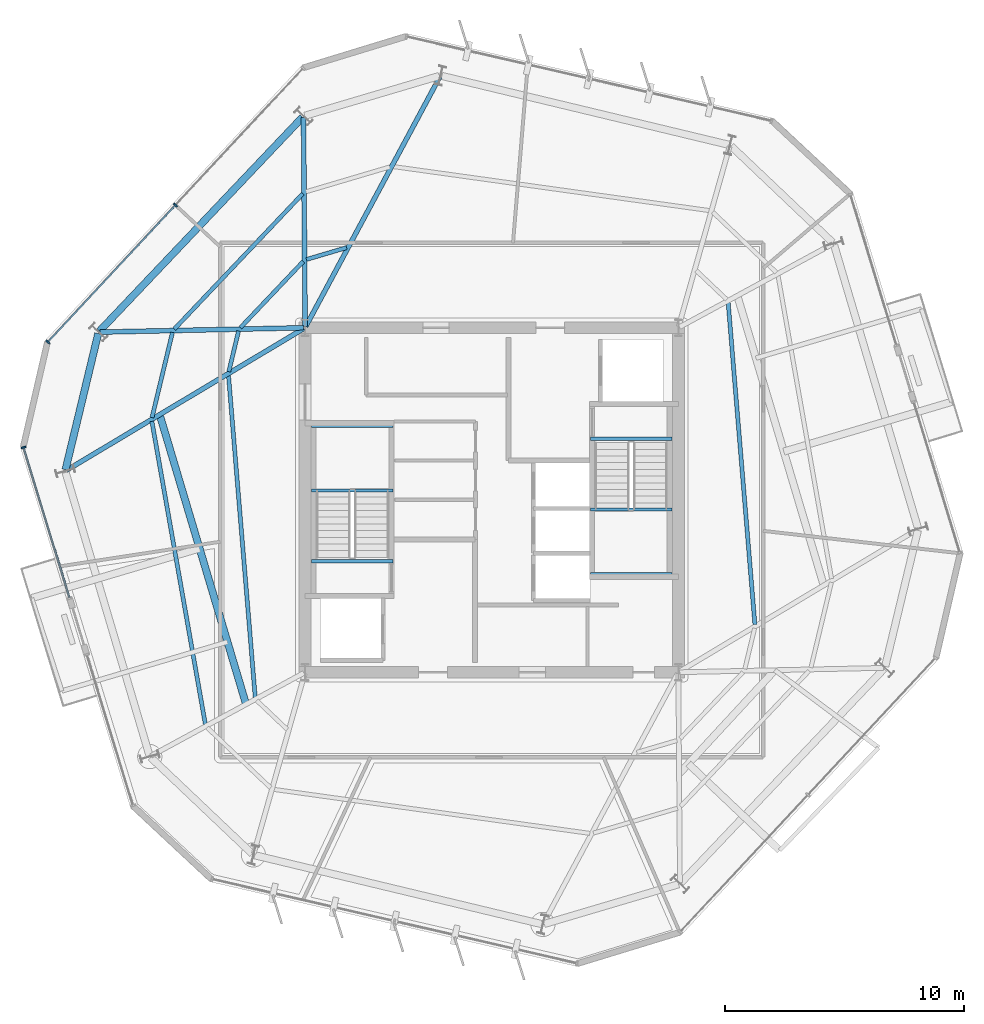
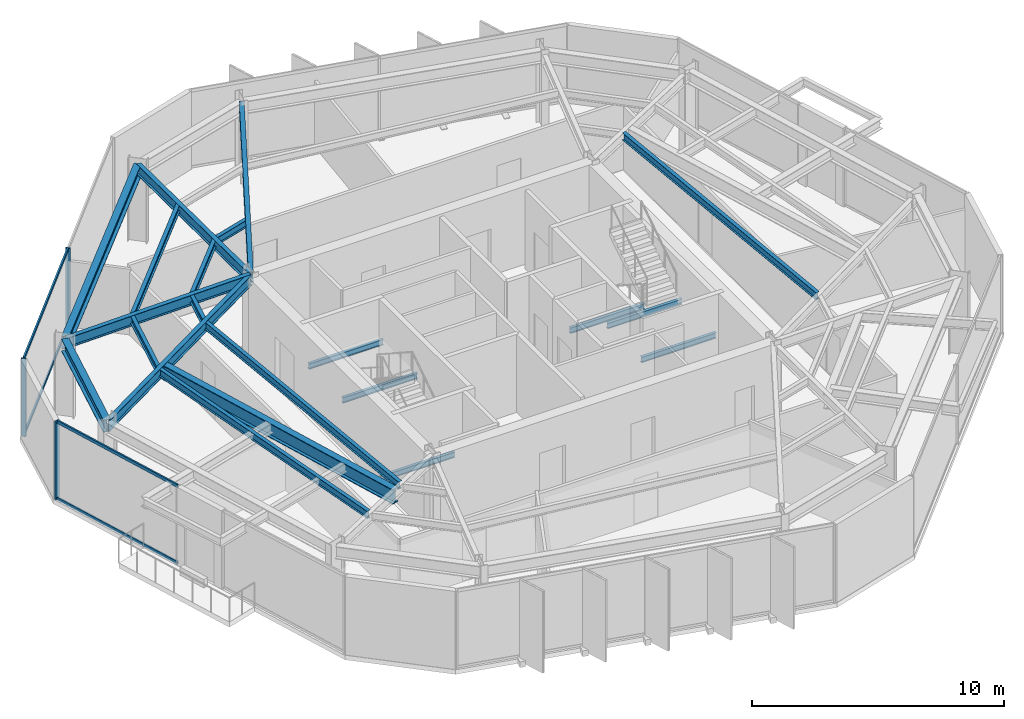
# One storey, part 3 of 11: 21 beams, 7 members, 2 elements without a shape of their own.
"""IFC4 building model written with IfcOpenShell, lengths in metres."""

from ifc_helpers import new_model, si_unit, direction, frame, origin, origin_2d, place, context, subcontext, project, spatial, rectangle, i_section, extrude, material, layer, layer_set, material_profile, profile_set, type_object, element, aggregate, save


model = new_model("IFC4")

# Units and contexts
model_context = context("Model", 3, precision=1e-05, world=origin(), true_north=direction((0.0, 1.0)))
body_context = subcontext(model_context, "Body", "Model", "MODEL_VIEW")
ifc_project = project(units=[si_unit("LENGTHUNIT", "METRE"), si_unit("AREAUNIT", "SQUARE_METRE"), si_unit("VOLUMEUNIT", "CUBIC_METRE"), si_unit("PLANEANGLEUNIT", "RADIAN"), si_unit("MASSUNIT", "GRAM", prefix="KILO")], contexts=[model_context])

# Site, building, storey
site_placement = place(None, origin())
site = spatial("IfcSite", under=ifc_project, at=site_placement, CompositionType="ELEMENT")
building_placement = place(site_placement, origin())
building = spatial("IfcBuilding", under=site, at=building_placement, Name="Kranzbogen Civic Tower", CompositionType="ELEMENT")
storey_placement = place(building_placement, frame((0.0, 0.0, 212.800048828125)))
storey = spatial("IfcBuildingStorey", under=building, at=storey_placement, Name="L51", CompositionType="ELEMENT", Elevation=212.800048828125)

# Curtain wall, members
ifc_material_1 = material(Name="Pale Anodised Aluminium", Category="aluminium")
ifc_layer = layer(ifc_material_1, 0.219970703125, Name="Pale Anodised Aluminium")
ifc_layer_set = layer_set([ifc_layer], Name="Pale Anodised Aluminium")
curtain_wall_type = type_object("IfcCurtainWallType", Name="Zone 3 Stick Curtain Wall System CW-04", PredefinedType="USERDEFINED", material=ifc_layer_set)
curtain_wall_1_placement = place(storey_placement, origin())
curtain_wall_1 = element("IfcCurtainWall", 1, at=curtain_wall_1_placement, inside=storey, type_object=curtain_wall_type, Name="L51 curtain wall CW-L51-F2", ObjectType="STICK CURTAIN WALL", PredefinedType="USERDEFINED")
ifc_material_profile_1 = material_profile(ifc_material_1, rectangle(XDim=0.070068359375, YDim=0.199951171875, at=origin_2d()), Name="ALU-M 70x200")
ifc_profile_set_1 = profile_set([ifc_material_profile_1], Name="Pale Anodised Aluminium")
member_type_1 = type_object("IfcMemberType", Name="Curtain Wall Mullion ALU-M 70x200", PredefinedType="MULLION", material=ifc_profile_set_1)
member_1_placement = place(storey_placement, frame((11.783447265625, 37.324951171875, 0.0), z_axis=(0.0, 0.0, 1.0), x_axis=(-0.682007441156, -0.731345233257, 0.0)))
member_1 = element("IfcMember", 2, at=member_1_placement, type_object=member_type_1, Name="CW-04 mullion 2", PredefinedType="MULLION", context=body_context, shape_type="SweptSolid", body=[
    extrude(rectangle(XDim=0.070068359375, YDim=0.199951171875, at=origin_2d()), origin(), (0.0, 0.0, 1.0), 3.780029296875),
])
member_2_placement = place(storey_placement, frame((6.447509765625, 31.60302734375, 0.0), z_axis=(0.0, 0.0, 1.0), x_axis=(-0.682007441156, -0.731345233257, 0.0)))
member_2 = element("IfcMember", 3, at=member_2_placement, type_object=member_type_1, Name="CW-04 mullion 3", PredefinedType="MULLION", context=body_context, shape_type="SweptSolid", body=[
    extrude(rectangle(XDim=0.070068359375, YDim=0.199951171875, at=origin_2d()), origin(), (0.0, 0.0, 1.0), 3.780029296875),
])

# Curtain wall, member
curtain_wall_2_placement = place(storey_placement, origin())
curtain_wall_2 = element("IfcCurtainWall", 4, at=curtain_wall_2_placement, inside=storey, type_object=curtain_wall_type, Name="L51 curtain wall CW-L51-F3-S1", ObjectType="STICK CURTAIN WALL", PredefinedType="USERDEFINED")
member_3_placement = place(storey_placement, frame((5.4306640625, 27.1982421875, 0.0), z_axis=(0.0, 0.0, 1.0), x_axis=(0.292321628934, -0.956320064235, 0.0)))
member_3 = element("IfcMember", 5, at=member_3_placement, type_object=member_type_1, Name="CW-04 mullion 1", PredefinedType="MULLION", context=body_context, shape_type="SweptSolid", body=[
    extrude(rectangle(XDim=0.070068359375, YDim=0.199951171875, at=origin_2d()), origin(), (0.0, 0.0, 1.0), 3.780029296875),
])

# Member
ifc_material_profile_2 = material_profile(ifc_material_1, rectangle(XDim=0.070068359375, YDim=0.14990234375, at=origin_2d()), Name="ALU-T 70x150")
ifc_profile_set_2 = profile_set([ifc_material_profile_2], Name="Pale Anodised Aluminium")
member_type_2 = type_object("IfcMemberType", Name="Curtain Wall Transom ALU-T 70x150", PredefinedType="USERDEFINED", material=ifc_profile_set_2)
member_4_placement = place(storey_placement, frame((11.762939453125, 37.302978515625, 0.030029296875), z_axis=(-0.682006713494, -0.731345911829, 0.0), x_axis=(0.731345911829, -0.682006713494, 0.0)))
member_4 = element("IfcMember", 6, at=member_4_placement, type_object=member_type_2, Name="CW-04 transom 2.1", ObjectType="TRANSOM", PredefinedType="USERDEFINED", context=body_context, shape_type="SweptSolid", body=[
    extrude(rectangle(XDim=0.070068359375, YDim=0.14990234375, at=origin_2d()), origin(), (0.0, 0.0, 1.0), 7.763671875),
])

member_5_placement = place(storey_placement, frame((11.762939453125, 37.302978515625, 3.75), z_axis=(-0.682006713494, -0.731345911829, 0.0), x_axis=(0.731345911829, -0.682006713494, 0.0)))
member_5 = element("IfcMember", 7, at=member_5_placement, type_object=member_type_2, Name="CW-04 transom 2.2", ObjectType="TRANSOM", PredefinedType="USERDEFINED", context=body_context, shape_type="SweptSolid", body=[
    extrude(rectangle(XDim=0.070068359375, YDim=0.14990234375, at=origin_2d()), origin(), (0.0, 0.0, 1.0), 7.763671875),
])

aggregate(curtain_wall_1, [member_1, member_2, member_4, member_5])

member_6_placement = place(storey_placement, frame((5.439453125, 27.169677734375, 0.030029296875), z_axis=(0.2923182132, -0.956321108327, 0.0), x_axis=(0.956321108327, 0.2923182132, 0.0)))
member_6 = element("IfcMember", 8, at=member_6_placement, type_object=member_type_2, Name="CW-04 transom 1.1", ObjectType="TRANSOM", PredefinedType="USERDEFINED", context=body_context, shape_type="SweptSolid", body=[
    extrude(rectangle(XDim=0.070068359375, YDim=0.14990234375, at=origin_2d()), origin(), (0.0, 0.0, 1.0), 6.53369140625),
])

member_7_placement = place(storey_placement, frame((5.439453125, 27.169677734375, 3.75), z_axis=(0.2923182132, -0.956321108327, 0.0), x_axis=(0.956321108327, 0.2923182132, 0.0)))
member_7 = element("IfcMember", 9, at=member_7_placement, type_object=member_type_2, Name="CW-04 transom 1.2", ObjectType="TRANSOM", PredefinedType="USERDEFINED", context=body_context, shape_type="SweptSolid", body=[
    extrude(rectangle(XDim=0.070068359375, YDim=0.14990234375, at=origin_2d()), origin(), (0.0, 0.0, 1.0), 6.53369140625),
])

aggregate(curtain_wall_2, [member_3, member_6, member_7])

# Beams
ifc_material_2 = material(Name="Steel S355", Category="steel")
ifc_material_profile_3 = material_profile(ifc_material_2, i_section(OverallWidth=0.300048828125, OverallDepth=0.60009765625, WebThickness=0.015380859375, FlangeThickness=0.030029296875, at=origin_2d()), Name="HEB 600")
ifc_profile_set_3 = profile_set([ifc_material_profile_3], Name="Steel S355")
beam_type_1 = type_object("IfcBeamType", Name="Perimeter Tube Spandrel Beam HEB 600", PredefinedType="SPANDREL", material=ifc_profile_set_3)
beam_1_placement = place(storey_placement, frame((17.092041015625, 41.0, 3.47998046875), z_axis=(-0.688373497874, -0.725356414065, 0.0), x_axis=(0.725356414065, -0.688373497874, 0.0)))
element("IfcBeam", 10, at=beam_1_placement, inside=storey, type_object=beam_type_1, Name="L51 perimeter spandrel beam 10", PredefinedType="SPANDREL", context=body_context, shape_type="SweptSolid", body=[
    extrude(i_section(OverallWidth=0.300048828125, OverallDepth=0.60009765625, WebThickness=0.015380859375, FlangeThickness=0.030029296875, at=origin_2d()), origin(), (0.0, 0.0, 1.0), 12.324951171875),
])
beam_2_placement = place(storey_placement, frame((8.552978515625, 31.9580078125, 3.47998046875), z_axis=(-0.233554380434, -0.972343741369, 0.0), x_axis=(0.972343741369, -0.233554380434, 0.0)))
element("IfcBeam", 11, at=beam_2_placement, inside=storey, type_object=beam_type_1, Name="L51 perimeter spandrel beam 11", PredefinedType="SPANDREL", context=body_context, shape_type="SweptSolid", body=[
    extrude(i_section(OverallWidth=0.300048828125, OverallDepth=0.60009765625, WebThickness=0.015380859375, FlangeThickness=0.030029296875, at=origin_2d()), origin(), (0.0, 0.0, 1.0), 5.852783203125),
])
ifc_material_profile_4 = material_profile(ifc_material_2, i_section(OverallWidth=0.300048828125, OverallDepth=0.699951171875, WebThickness=0.01708984375, FlangeThickness=0.031982421875, at=origin_2d()), Name="HEB 700")
ifc_profile_set_4 = profile_set([ifc_material_profile_4], Name="Steel S355")
beam_type_2 = type_object("IfcBeamType", Name="Perimeter Tube Spandrel Beam HEB 700", PredefinedType="SPANDREL", material=ifc_profile_set_4)
beam_3_placement = place(storey_placement, frame((11.12109375, 28.568115234375, 3.39990234375), z_axis=(0.285870808606, -0.95826816747, 0.0), x_axis=(0.95826816747, 0.285870808606, 0.0)))
element("IfcBeam", 12, at=beam_3_placement, inside=storey, type_object=beam_type_2, Name="L52 balcony back-span header girder L52-TB2", PredefinedType="SPANDREL", context=body_context, shape_type="SweptSolid", body=[
    extrude(i_section(OverallWidth=0.300048828125, OverallDepth=0.699951171875, WebThickness=0.01708984375, FlangeThickness=0.031982421875, at=origin_2d()), origin(), (0.0, 0.0, 1.0), 12.634521484375),
])
ifc_material_profile_5 = material_profile(ifc_material_2, i_section(OverallWidth=0.199951171875, OverallDepth=0.5, WebThickness=0.01025390625, FlangeThickness=0.01611328125, at=origin_2d()), Name="IPE 500")
ifc_profile_set_5 = profile_set([ifc_material_profile_5], Name="Steel S355")
beam_type_3 = type_object("IfcBeamType", Name="Radial Tower Floor Girder IPE 500", PredefinedType="BEAM", material=ifc_profile_set_5)
beam_4_placement = place(storey_placement, frame((22.83203125, 42.68701171875, 3.530029296875), z_axis=(-0.473160413549, -0.880976289721, 0.0), x_axis=(0.880976289721, -0.473160413549, 0.0)))
element("IfcBeam", 13, at=beam_4_placement, inside=storey, type_object=beam_type_3, Name="L51 radial floor girder 09", PredefinedType="BEAM", context=body_context, shape_type="SweptSolid", body=[
    extrude(i_section(OverallWidth=0.199951171875, OverallDepth=0.5, WebThickness=0.01025390625, FlangeThickness=0.01611328125, at=origin_2d()), origin(), (0.0, 0.0, 1.0), 11.84375),
])
beam_5_placement = place(storey_placement, frame((17.133056640625, 40.98388671875, 3.530029296875), z_axis=(0.007667756557, -0.999970602323, 0.0), x_axis=(0.999970602323, 0.007667756557, 0.0)))
element("IfcBeam", 14, at=beam_5_placement, inside=storey, type_object=beam_type_3, Name="L51 radial floor girder 10", PredefinedType="BEAM", context=body_context, shape_type="SweptSolid", body=[
    extrude(i_section(OverallWidth=0.199951171875, OverallDepth=0.5, WebThickness=0.01025390625, FlangeThickness=0.01611328125, at=origin_2d()), origin(), (0.0, 0.0, 1.0), 8.72412109375),
])
beam_6_placement = place(storey_placement, frame((8.626953125, 32.01708984375, 3.530029296875), z_axis=(0.99977183191, 0.021360808018, 0.0), x_axis=(-0.021360808018, 0.99977183191, 0.0)))
element("IfcBeam", 15, at=beam_6_placement, inside=storey, type_object=beam_type_3, Name="L51 radial floor girder 11", PredefinedType="BEAM", context=body_context, shape_type="SweptSolid", body=[
    extrude(i_section(OverallWidth=0.199951171875, OverallDepth=0.5, WebThickness=0.01025390625, FlangeThickness=0.01611328125, at=origin_2d()), origin(), (0.0, 0.0, 1.0), 8.514892578125),
])
beam_7_placement = place(storey_placement, frame((7.22412109375, 26.239990234375, 3.530029296875), z_axis=(0.858458551809, 0.512882944565, 0.0), x_axis=(-0.512882944565, 0.858458551809, 0.0)))
element("IfcBeam", 16, at=beam_7_placement, inside=storey, type_object=beam_type_3, Name="L51 radial floor girder 12", PredefinedType="BEAM", context=body_context, shape_type="SweptSolid", body=[
    extrude(i_section(OverallWidth=0.199951171875, OverallDepth=0.5, WebThickness=0.01025390625, FlangeThickness=0.01611328125, at=origin_2d()), origin(), (0.0, 0.0, 1.0), 11.56005859375),
])
ifc_material_profile_6 = material_profile(ifc_material_2, i_section(OverallWidth=0.169921875, OverallDepth=0.360107421875, WebThickness=0.008056640625, FlangeThickness=0.0126953125, at=origin_2d()), Name="IPE 360")
ifc_profile_set_6 = profile_set([ifc_material_profile_6], Name="Steel S355")
beam_type_4 = type_object("IfcBeamType", Name="Secondary Composite Floor Joist IPE 360", PredefinedType="JOIST", material=ifc_profile_set_6)
beam_8_placement = place(storey_placement, frame((36.001953125, 19.797119140625, 3.599853515625), z_axis=(-0.082825426692, 0.996564071544, 0.0), x_axis=(-0.996564071544, -0.082825426692, 0.0)))
element("IfcBeam", 17, at=beam_8_placement, inside=storey, type_object=beam_type_4, Name="L51 secondary floor joist 2.06", PredefinedType="JOIST", context=body_context, shape_type="SweptSolid", body=[
    extrude(i_section(OverallWidth=0.169921875, OverallDepth=0.360107421875, WebThickness=0.008056640625, FlangeThickness=0.0126953125, at=origin_2d()), origin(), (0.0, 0.0, 1.0), 13.497314453125),
])
beam_9_placement = place(storey_placement, frame((18.93408203125, 35.550048828125, 3.599853515625), z_axis=(-0.958871214757, -0.283841493638, 0.0), x_axis=(0.283841493638, -0.958871214757, 0.0)))
element("IfcBeam", 18, at=beam_9_placement, inside=storey, type_object=beam_type_4, Name="L51 secondary floor joist 2.09", PredefinedType="JOIST", context=body_context, shape_type="SweptSolid", body=[
    extrude(i_section(OverallWidth=0.169921875, OverallDepth=0.360107421875, WebThickness=0.008056640625, FlangeThickness=0.0126953125, at=origin_2d()), origin(), (0.0, 0.0, 1.0), 1.751220703125),
])
beam_10_placement = place(storey_placement, frame((17.10205078125, 37.802001953125, 3.599853515625), z_axis=(-0.688282381634, -0.725442873789, 0.0), x_axis=(0.725442873789, -0.688282381634, 0.0)))
element("IfcBeam", 19, at=beam_10_placement, inside=storey, type_object=beam_type_4, Name="L51 secondary floor joist 1.10", PredefinedType="JOIST", context=body_context, shape_type="SweptSolid", body=[
    extrude(i_section(OverallWidth=0.169921875, OverallDepth=0.360107421875, WebThickness=0.008056640625, FlangeThickness=0.0126953125, at=origin_2d()), origin(), (0.0, 0.0, 1.0), 7.804931640625),
])
beam_11_placement = place(storey_placement, frame((17.123046875, 34.971923828125, 3.599853515625), z_axis=(-0.688175084876, -0.725544659243, 0.0), x_axis=(0.725544659243, -0.688175084876, 0.0)))
element("IfcBeam", 20, at=beam_11_placement, inside=storey, type_object=beam_type_4, Name="L51 secondary floor joist 2.10", PredefinedType="JOIST", context=body_context, shape_type="SweptSolid", body=[
    extrude(i_section(OverallWidth=0.169921875, OverallDepth=0.360107421875, WebThickness=0.008056640625, FlangeThickness=0.0126953125, at=origin_2d()), origin(), (0.0, 0.0, 1.0), 3.82177734375),
])
beam_12_placement = place(storey_placement, frame((11.656005859375, 32.00390625, 3.599853515625), z_axis=(-0.233534367714, -0.972348548154, 0.0), x_axis=(0.972348548154, -0.233534367714, 0.0)))
element("IfcBeam", 21, at=beam_12_placement, inside=storey, type_object=beam_type_4, Name="L51 secondary floor joist 1.11", PredefinedType="JOIST", context=body_context, shape_type="SweptSolid", body=[
    extrude(i_section(OverallWidth=0.169921875, OverallDepth=0.360107421875, WebThickness=0.008056640625, FlangeThickness=0.0126953125, at=origin_2d()), origin(), (0.0, 0.0, 1.0), 3.6611328125),
])
beam_13_placement = place(storey_placement, frame((14.4189453125, 32.06298828125, 3.599853515625), z_axis=(-0.233631438607, -0.972325228972, 0.0), x_axis=(0.972325228972, -0.233631438607, 0.0)))
element("IfcBeam", 22, at=beam_13_placement, inside=storey, type_object=beam_type_4, Name="L51 secondary floor joist 2.11", PredefinedType="JOIST", context=body_context, shape_type="SweptSolid", body=[
    extrude(i_section(OverallWidth=0.169921875, OverallDepth=0.360107421875, WebThickness=0.008056640625, FlangeThickness=0.0126953125, at=origin_2d()), origin(), (0.0, 0.0, 1.0), 1.750244140625),
])
beam_14_placement = place(storey_placement, frame((10.7958984375, 28.287109375, 3.599853515625), z_axis=(0.173805911364, -0.984779927281, 0.0), x_axis=(0.984779927281, 0.173805911364, 0.0)))
element("IfcBeam", 23, at=beam_14_placement, inside=storey, type_object=beam_type_4, Name="L51 secondary floor joist 1.12", PredefinedType="JOIST", context=body_context, shape_type="SweptSolid", body=[
    extrude(i_section(OverallWidth=0.169921875, OverallDepth=0.360107421875, WebThickness=0.008056640625, FlangeThickness=0.0126953125, at=origin_2d()), origin(), (0.0, 0.0, 1.0), 12.85986328125),
])
beam_15_placement = place(storey_placement, frame((13.998046875, 30.202880859375, 3.599853515625), z_axis=(0.082825426692, -0.996564071544, 0.0), x_axis=(0.996564071544, 0.082825426692, 0.0)))
element("IfcBeam", 24, at=beam_15_placement, inside=storey, type_object=beam_type_4, Name="L51 secondary floor joist 2.12", PredefinedType="JOIST", context=body_context, shape_type="SweptSolid", body=[
    extrude(i_section(OverallWidth=0.169921875, OverallDepth=0.360107421875, WebThickness=0.008056640625, FlangeThickness=0.0126953125, at=origin_2d()), origin(), (0.0, 0.0, 1.0), 13.497314453125),
])
ifc_material_profile_7 = material_profile(ifc_material_2, i_section(OverallWidth=0.135009765625, OverallDepth=0.27001953125, WebThickness=0.006591796875, FlangeThickness=0.01025390625, at=origin_2d()), Name="IPE 270")
ifc_profile_set_7 = profile_set([ifc_material_profile_7], Name="Steel S355")
beam_type_5 = type_object("IfcBeamType", Name="Stair Landing Support Beam IPE 270", PredefinedType="JOIST", material=ifc_profile_set_7)
for number, where, z_axis, x_axis, name in (
    (25, (20.8798828125, 22.43994140625, -0.35498046875), (-1.0, 0.0, 0.0), (0.0, -1.0, 0.0), "L51 ST-T1 stair floor header beam"),
    (26, (20.8798828125, 25.39990234375, 1.6650390625), (-1.0, 0.0, 0.0), (0.0, -1.0, 0.0), "L51 ST-T1 landing support beam 1.1"),
    (27, (20.8798828125, 28.10009765625, 1.6650390625), (-1.0, 0.0, 0.0), (0.0, -1.0, 0.0), "L51 ST-T1 landing support beam 1.2"),
    (28, (29.1201171875, 27.56005859375, -0.35498046875), (1.0, 0.0, 0.0), (0.0, 1.0, 0.0), "L51 ST-T2 stair floor header beam"),
    (29, (29.1201171875, 24.60009765625, 1.6650390625), (1.0, 0.0, 0.0), (0.0, 1.0, 0.0), "L51 ST-T2 landing support beam 1.1"),
    (30, (29.1201171875, 21.89990234375, 1.6650390625), (1.0, 0.0, 0.0), (0.0, 1.0, 0.0), "L51 ST-T2 landing support beam 1.2"),
):
    element("IfcBeam", number, at=place(storey_placement, frame(where, z_axis=z_axis, x_axis=x_axis)), inside=storey, type_object=beam_type_5, Name=name, PredefinedType="JOIST", context=body_context, shape_type="SweptSolid", body=[
        extrude(i_section(OverallWidth=0.135009765625, OverallDepth=0.27001953125, WebThickness=0.006591796875, FlangeThickness=0.01025390625, at=origin_2d()), origin(), (0.0, 0.0, 1.0), 3.409912109375),
    ])

save(model, "model.ifc")
